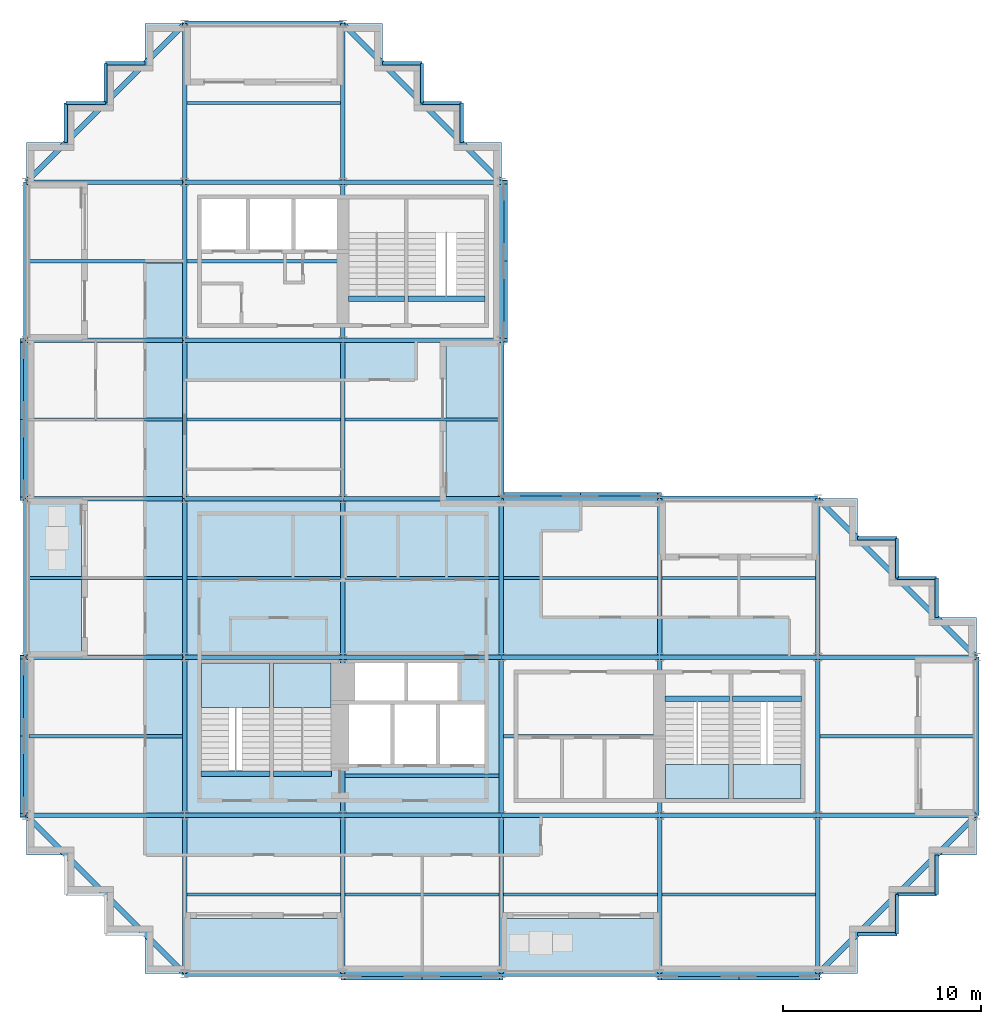
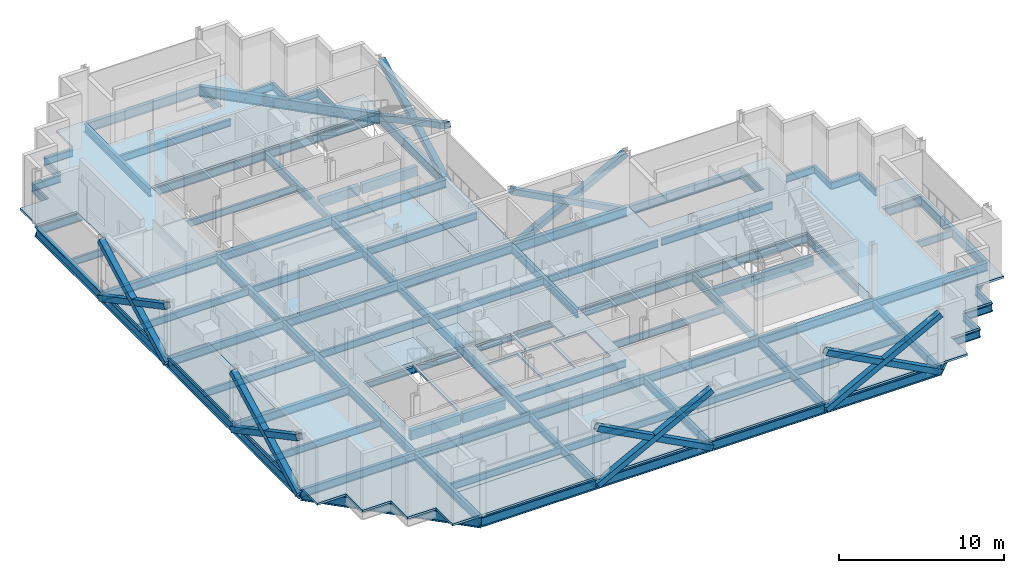
# One storey, part 3 of 12: 102 beams, 12 members, 10 slabs, 4 elements without a shape of their own.
"""IFC4 building model written with IfcOpenShell, lengths in metres."""

from ifc_helpers import new_model, si_unit, direction, frame, origin, origin_2d, place, context, subcontext, project, spatial, polyline, rectangle, hollow_rectangle, i_section, outline, extrude, material, layer, layer_set, material_profile, profile_set, type_object, element, aggregate, save


model = new_model("IFC4")

# Units and contexts
model_context = context("Model", 3, precision=1e-05, world=origin(), true_north=direction((0.0, 1.0)))
body_context = subcontext(model_context, "Body", "Model", "MODEL_VIEW")
ifc_project = project(units=[si_unit("LENGTHUNIT", "METRE"), si_unit("AREAUNIT", "SQUARE_METRE"), si_unit("VOLUMEUNIT", "CUBIC_METRE"), si_unit("PLANEANGLEUNIT", "RADIAN"), si_unit("MASSUNIT", "GRAM", prefix="KILO")], contexts=[model_context])

# Site, building, storey
site_placement = place(None, origin())
site = spatial("IfcSite", under=ifc_project, at=site_placement, CompositionType="ELEMENT")
building_placement = place(site_placement, origin())
building = spatial("IfcBuilding", under=site, at=building_placement, Name="Immortelle Media Tower", CompositionType="ELEMENT")
storey_placement = place(building_placement, frame((0.0, 0.0, 149.39990234375)))
storey = spatial("IfcBuildingStorey", under=building, at=storey_placement, Name="L30", CompositionType="ELEMENT", Elevation=149.39990234375)

# Members
ifc_material_1 = material(Name="Steel ASTM A500 Gr C", Category="steel")
ifc_material_profile_1 = material_profile(ifc_material_1, hollow_rectangle(XDim=0.406005859375, YDim=0.406005859375, WallThickness=0.011962890625, at=origin_2d()), Name="HSS16x16x1/2 brace")
ifc_profile_set_1 = profile_set([ifc_material_profile_1], Name="Steel ASTM A500 Gr C")
member_type = type_object("IfcMemberType", Name="HSS16x16x1/2 brace", PredefinedType="BRACE", material=ifc_profile_set_1)
for number, where, z_axis, x_axis, name in (
    (1, (16.0, -0.113037109375, -0.496337890625), (0.883551031542, 0.0, 0.468334895839), (0.0, 1.0, 0.0), "Brace A/3-4 A"),
    (2, (16.0, -0.113037109375, 3.744140625), (0.883551031542, 0.0, -0.468334895839), (0.0, 1.0, 0.0), "Brace A/3-4 B"),
    (3, (32.0, -0.113037109375, -0.496337890625), (0.883551031542, 0.0, 0.468334895839), (0.0, 1.0, 0.0), "Brace A/5-6 A"),
    (4, (32.0, -0.113037109375, 3.744140625), (0.883551031542, 0.0, -0.468334895839), (0.0, 1.0, 0.0), "Brace A/5-6 B"),
    (5, (32.0, 24.113037109375, -0.496337890625), (-0.883551031542, 0.0, 0.468334895839), (0.0, -1.0, 0.0), "Brace D/4-5 A"),
    (6, (32.0, 24.113037109375, 3.744140625), (-0.883551031542, 0.0, -0.468334895839), (0.0, -1.0, 0.0), "Brace D/4-5 B"),
    (7, (24.113037109375, 32.0, -0.496337890625), (0.0, 0.883551031542, 0.468334895839), (-1.0, 0.0, 0.0), "Brace 4/E-F A"),
    (8, (24.113037109375, 32.0, 3.744140625), (0.0, 0.883551031542, -0.468334895839), (-1.0, 0.0, 0.0), "Brace 4/E-F B"),
    (9, (-0.113037109375, 32.0, -0.496337890625), (0.0, -0.883551031542, 0.468334895839), (1.0, 0.0, 0.0), "Brace 1/D-E A"),
    (10, (-0.113037109375, 32.0, 3.744140625), (0.0, -0.883551031542, -0.468334895839), (1.0, 0.0, 0.0), "Brace 1/D-E B"),
    (11, (-0.113037109375, 16.0, -0.496337890625), (0.0, -0.883551031542, 0.468334895839), (1.0, 0.0, 0.0), "Brace 1/B-C A"),
    (12, (-0.113037109375, 16.0, 3.744140625), (0.0, -0.883551031542, -0.468334895839), (1.0, 0.0, 0.0), "Brace 1/B-C B"),
):
    element("IfcMember", number, at=place(storey_placement, frame(where, z_axis=z_axis, x_axis=x_axis)), inside=storey, type_object=member_type, Name=name, PredefinedType="BRACE", context=body_context, shape_type="SweptSolid", body=[
        extrude(hollow_rectangle(XDim=0.406005859375, YDim=0.406005859375, WallThickness=0.011962890625, at=origin_2d()), origin(), (0.0, 0.0, 1.0), 9.054443359375),
    ])

# Beams
ifc_material_2 = material(Name="Concrete C50/60", Category="concrete")
ifc_material_profile_2 = material_profile(ifc_material_2, rectangle(XDim=0.300048828125, YDim=0.699951171875, at=origin_2d()), Name="RC 300x700")
ifc_profile_set_2 = profile_set([ifc_material_profile_2], Name="Concrete C50/60")
beam_type_1 = type_object("IfcBeamType", Name="Stair trimmer beam 300 x 700", PredefinedType="BEAM", material=ifc_profile_set_2)
beam_1_placement = place(storey_placement, frame((8.830078125, 10.10498046875, -0.5), z_axis=(1.0, 0.0, 0.0), x_axis=(0.0, 1.0, 0.0)))
element("IfcBeam", 13, at=beam_1_placement, inside=storey, type_object=beam_type_1, Name="Stair trimmer beam SW1", PredefinedType="BEAM", context=body_context, shape_type="SweptSolid", body=[
    extrude(rectangle(XDim=0.300048828125, YDim=0.699951171875, at=origin_2d()), origin(), (0.0, 0.0, 1.0), 3.489990234375),
])
beam_2_placement = place(storey_placement, frame((12.47998046875, 10.10498046875, -0.5), z_axis=(1.0, 0.0, 0.0), x_axis=(0.0, 1.0, 0.0)))
element("IfcBeam", 14, at=beam_2_placement, inside=storey, type_object=beam_type_1, Name="Stair trimmer beam SW2", PredefinedType="BEAM", context=body_context, shape_type="SweptSolid", body=[
    extrude(rectangle(XDim=0.300048828125, YDim=0.699951171875, at=origin_2d()), origin(), (0.0, 0.0, 1.0), 2.93994140625),
])
beam_3_placement = place(storey_placement, frame((32.280029296875, 13.89501953125, -0.5), z_axis=(1.0, 0.0, 0.0), x_axis=(0.0, 1.0, 0.0)))
element("IfcBeam", 15, at=beam_3_placement, inside=storey, type_object=beam_type_1, Name="Stair trimmer beam SE1", PredefinedType="BEAM", context=body_context, shape_type="SweptSolid", body=[
    extrude(rectangle(XDim=0.300048828125, YDim=0.699951171875, at=origin_2d()), origin(), (0.0, 0.0, 1.0), 3.239990234375),
])
beam_4_placement = place(storey_placement, frame((35.679931640625, 13.89501953125, -0.5), z_axis=(1.0, 0.0, 0.0), x_axis=(0.0, 1.0, 0.0)))
element("IfcBeam", 16, at=beam_4_placement, inside=storey, type_object=beam_type_1, Name="Stair trimmer beam SE2", PredefinedType="BEAM", context=body_context, shape_type="SweptSolid", body=[
    extrude(rectangle(XDim=0.300048828125, YDim=0.699951171875, at=origin_2d()), origin(), (0.0, 0.0, 1.0), 3.489990234375),
])
beam_5_placement = place(storey_placement, frame((16.280029296875, 34.10498046875, -0.5), z_axis=(1.0, 0.0, 0.0), x_axis=(0.0, 1.0, 0.0)))
element("IfcBeam", 17, at=beam_5_placement, inside=storey, type_object=beam_type_1, Name="Stair trimmer beam NW1", PredefinedType="BEAM", context=body_context, shape_type="SweptSolid", body=[
    extrude(rectangle(XDim=0.300048828125, YDim=0.699951171875, at=origin_2d()), origin(), (0.0, 0.0, 1.0), 2.840087890625),
])
beam_6_placement = place(storey_placement, frame((19.280029296875, 34.10498046875, -0.5), z_axis=(1.0, 0.0, 0.0), x_axis=(0.0, 1.0, 0.0)))
element("IfcBeam", 18, at=beam_6_placement, inside=storey, type_object=beam_type_1, Name="Stair trimmer beam NW2", PredefinedType="BEAM", context=body_context, shape_type="SweptSolid", body=[
    extrude(rectangle(XDim=0.300048828125, YDim=0.699951171875, at=origin_2d()), origin(), (0.0, 0.0, 1.0), 3.889892578125),
])
ifc_material_3 = material(Name="Steel ASTM A992 Gr 50", Category="steel")
ifc_material_profile_3 = material_profile(ifc_material_3, i_section(OverallWidth=0.1650390625, OverallDepth=0.52587890625, WebThickness=0.009033203125, FlangeThickness=0.010986328125, at=origin_2d()), Name="W21x44")
ifc_profile_set_3 = profile_set([ifc_material_profile_3], Name="Steel ASTM A992 Gr 50")
beam_type_2 = type_object("IfcBeamType", Name="W21x44 secondary beam", PredefinedType="JOIST", material=ifc_profile_set_3)
for number, where, z_axis, x_axis, name in (
    (19, (8.114501953125, 4.0, -0.412841796875), (1.0, 0.0, 0.0), (0.0, 1.0, 0.0), "Beam A-B/2-3"),
    (20, (16.114501953125, 4.0, -0.412841796875), (1.0, 0.0, 0.0), (0.0, 1.0, 0.0), "Beam A-B/3-4"),
    (21, (24.114501953125, 4.0, -0.412841796875), (1.0, 0.0, 0.0), (0.0, 1.0, 0.0), "Beam A-B/4-5"),
    (22, (32.114501953125, 4.0, -0.412841796875), (1.0, 0.0, 0.0), (0.0, 1.0, 0.0), "Beam A-B/5-6"),
):
    element("IfcBeam", number, at=place(storey_placement, frame(where, z_axis=z_axis, x_axis=x_axis)), inside=storey, type_object=beam_type_2, Name=name, PredefinedType="JOIST", context=body_context, shape_type="SweptSolid", body=[
        extrude(i_section(OverallWidth=0.1650390625, OverallDepth=0.52587890625, WebThickness=0.009033203125, FlangeThickness=0.010986328125, at=origin_2d()), origin(), (0.0, 0.0, 1.0), 7.77099609375),
    ])
beam_7_placement = place(storey_placement, frame((0.12841796875, 12.0, -0.412841796875), z_axis=(1.0, 0.0, 0.0), x_axis=(0.0, 1.0, 0.0)))
element("IfcBeam", 23, at=beam_7_placement, inside=storey, type_object=beam_type_2, Name="Beam B-C/1-2", PredefinedType="JOIST", context=body_context, shape_type="SweptSolid", body=[
    extrude(i_section(OverallWidth=0.1650390625, OverallDepth=0.52587890625, WebThickness=0.009033203125, FlangeThickness=0.010986328125, at=origin_2d()), origin(), (0.0, 0.0, 1.0), 7.757080078125),
])
for number, where, z_axis, x_axis, name in (
    (24, (16.114501953125, 10.0, -0.412841796875), (1.0, 0.0, 0.0), (0.0, 1.0, 0.0), "Beam B-C/3-4"),
    (25, (24.114501953125, 12.0, -0.412841796875), (1.0, 0.0, 0.0), (0.0, 1.0, 0.0), "Beam B-C/4-5"),
):
    element("IfcBeam", number, at=place(storey_placement, frame(where, z_axis=z_axis, x_axis=x_axis)), inside=storey, type_object=beam_type_2, Name=name, PredefinedType="JOIST", context=body_context, shape_type="SweptSolid", body=[
        extrude(i_section(OverallWidth=0.1650390625, OverallDepth=0.52587890625, WebThickness=0.009033203125, FlangeThickness=0.010986328125, at=origin_2d()), origin(), (0.0, 0.0, 1.0), 7.77099609375),
    ])
for number, where, z_axis, x_axis, name in (
    (26, (40.114501953125, 12.0, -0.412841796875), (1.0, 0.0, 0.0), (0.0, 1.0, 0.0), "Beam B-C/6-7"),
    (27, (0.12841796875, 20.0, -0.412841796875), (1.0, 0.0, 0.0), (0.0, 1.0, 0.0), "Beam C-D/1-2"),
):
    element("IfcBeam", number, at=place(storey_placement, frame(where, z_axis=z_axis, x_axis=x_axis)), inside=storey, type_object=beam_type_2, Name=name, PredefinedType="JOIST", context=body_context, shape_type="SweptSolid", body=[
        extrude(i_section(OverallWidth=0.1650390625, OverallDepth=0.52587890625, WebThickness=0.009033203125, FlangeThickness=0.010986328125, at=origin_2d()), origin(), (0.0, 0.0, 1.0), 7.757080078125),
    ])
for number, where, z_axis, x_axis, name in (
    (28, (8.114501953125, 20.0, -0.412841796875), (1.0, 0.0, 0.0), (0.0, 1.0, 0.0), "Beam C-D/2-3"),
    (29, (16.114501953125, 20.0, -0.412841796875), (1.0, 0.0, 0.0), (0.0, 1.0, 0.0), "Beam C-D/3-4"),
    (30, (24.114501953125, 20.0, -0.412841796875), (1.0, 0.0, 0.0), (0.0, 1.0, 0.0), "Beam C-D/4-5"),
    (31, (32.114501953125, 20.0, -0.412841796875), (1.0, 0.0, 0.0), (0.0, 1.0, 0.0), "Beam C-D/5-6"),
):
    element("IfcBeam", number, at=place(storey_placement, frame(where, z_axis=z_axis, x_axis=x_axis)), inside=storey, type_object=beam_type_2, Name=name, PredefinedType="JOIST", context=body_context, shape_type="SweptSolid", body=[
        extrude(i_section(OverallWidth=0.1650390625, OverallDepth=0.52587890625, WebThickness=0.009033203125, FlangeThickness=0.010986328125, at=origin_2d()), origin(), (0.0, 0.0, 1.0), 7.77099609375),
    ])
beam_8_placement = place(storey_placement, frame((0.12841796875, 28.0, -0.412841796875), z_axis=(1.0, 0.0, 0.0), x_axis=(0.0, 1.0, 0.0)))
element("IfcBeam", 32, at=beam_8_placement, inside=storey, type_object=beam_type_2, Name="Beam D-E/1-2", PredefinedType="JOIST", context=body_context, shape_type="SweptSolid", body=[
    extrude(i_section(OverallWidth=0.1650390625, OverallDepth=0.52587890625, WebThickness=0.009033203125, FlangeThickness=0.010986328125, at=origin_2d()), origin(), (0.0, 0.0, 1.0), 7.757080078125),
])
beam_9_placement = place(storey_placement, frame((8.114501953125, 28.0, -0.412841796875), z_axis=(1.0, 0.0, 0.0), x_axis=(0.0, 1.0, 0.0)))
element("IfcBeam", 33, at=beam_9_placement, inside=storey, type_object=beam_type_2, Name="Beam D-E/2-3", PredefinedType="JOIST", context=body_context, shape_type="SweptSolid", body=[
    extrude(i_section(OverallWidth=0.1650390625, OverallDepth=0.52587890625, WebThickness=0.009033203125, FlangeThickness=0.010986328125, at=origin_2d()), origin(), (0.0, 0.0, 1.0), 7.77099609375),
])
for number, where, z_axis, x_axis, name in (
    (34, (16.114501953125, 28.0, -0.412841796875), (1.0, 0.0, 0.0), (0.0, 1.0, 0.0), "Beam D-E/3-4"),
    (35, (0.12841796875, 36.0, -0.412841796875), (1.0, 0.0, 0.0), (0.0, 1.0, 0.0), "Beam E-F/1-2"),
):
    element("IfcBeam", number, at=place(storey_placement, frame(where, z_axis=z_axis, x_axis=x_axis)), inside=storey, type_object=beam_type_2, Name=name, PredefinedType="JOIST", context=body_context, shape_type="SweptSolid", body=[
        extrude(i_section(OverallWidth=0.1650390625, OverallDepth=0.52587890625, WebThickness=0.009033203125, FlangeThickness=0.010986328125, at=origin_2d()), origin(), (0.0, 0.0, 1.0), 7.757080078125),
    ])
for number, where, z_axis, x_axis, name in (
    (36, (8.114501953125, 36.0, -0.412841796875), (1.0, 0.0, 0.0), (0.0, 1.0, 0.0), "Beam E-F/2-3"),
    (37, (8.114501953125, 44.0, -0.412841796875), (1.0, 0.0, 0.0), (0.0, 1.0, 0.0), "Beam F-G/2-3"),
):
    element("IfcBeam", number, at=place(storey_placement, frame(where, z_axis=z_axis, x_axis=x_axis)), inside=storey, type_object=beam_type_2, Name=name, PredefinedType="JOIST", context=body_context, shape_type="SweptSolid", body=[
        extrude(i_section(OverallWidth=0.1650390625, OverallDepth=0.52587890625, WebThickness=0.009033203125, FlangeThickness=0.010986328125, at=origin_2d()), origin(), (0.0, 0.0, 1.0), 7.77099609375),
    ])
ifc_material_profile_4 = material_profile(ifc_material_3, i_section(OverallWidth=0.1650390625, OverallDepth=0.52587890625, WebThickness=0.009033203125, FlangeThickness=0.010986328125, at=origin_2d()), Name="W21x44")
ifc_profile_set_4 = profile_set([ifc_material_profile_4], Name="Steel ASTM A992 Gr 50")
beam_type_3 = type_object("IfcBeamType", Name="W21x44 serration edge beam", PredefinedType="SPANDREL", material=ifc_profile_set_4)
for number, where, z_axis, x_axis, name in (
    (38, (2.0, 42.0, -0.412841796875), (0.0, 1.0, 0.0), (-1.0, 0.0, 0.0), "Corner edge beam 1 at 1/G"),
    (39, (2.0, 44.0, -0.412841796875), (1.0, 0.0, 0.0), (0.0, 1.0, 0.0), "Corner edge beam 2 at 1/G"),
    (40, (4.0, 44.0, -0.412841796875), (0.0, 1.0, 0.0), (-1.0, 0.0, 0.0), "Corner edge beam 3 at 1/G"),
    (41, (4.0, 46.0, -0.412841796875), (1.0, 0.0, 0.0), (0.0, 1.0, 0.0), "Corner edge beam 4 at 1/G"),
    (42, (18.0, 46.0, -0.412841796875), (1.0, 0.0, 0.0), (0.0, 1.0, 0.0), "Corner edge beam 1 at 4/G"),
    (43, (20.0, 46.0, -0.412841796875), (0.0, -1.0, 0.0), (1.0, 0.0, 0.0), "Corner edge beam 2 at 4/G"),
    (44, (20.0, 44.0, -0.412841796875), (1.0, 0.0, 0.0), (0.0, 1.0, 0.0), "Corner edge beam 3 at 4/G"),
    (45, (22.0, 44.0, -0.412841796875), (0.0, -1.0, 0.0), (1.0, 0.0, 0.0), "Corner edge beam 4 at 4/G"),
    (46, (46.0, 6.0, -0.412841796875), (0.0, -1.0, 0.0), (1.0, 0.0, 0.0), "Corner edge beam 1 at 7/A"),
    (47, (46.0, 4.0, -0.412841796875), (-1.0, 0.0, 0.0), (0.0, -1.0, 0.0), "Corner edge beam 2 at 7/A"),
    (48, (44.0, 4.0, -0.412841796875), (0.0, -1.0, 0.0), (1.0, 0.0, 0.0), "Corner edge beam 3 at 7/A"),
    (49, (44.0, 2.0, -0.412841796875), (-1.0, 0.0, 0.0), (0.0, -1.0, 0.0), "Corner edge beam 4 at 7/A"),
    (50, (42.0, 22.0, -0.412841796875), (1.0, 0.0, 0.0), (0.0, 1.0, 0.0), "Corner edge beam 1 at 7/D"),
    (51, (44.0, 22.0, -0.412841796875), (0.0, -1.0, 0.0), (1.0, 0.0, 0.0), "Corner edge beam 2 at 7/D"),
    (52, (44.0, 20.0, -0.412841796875), (1.0, 0.0, 0.0), (0.0, 1.0, 0.0), "Corner edge beam 3 at 7/D"),
    (53, (46.0, 20.0, -0.412841796875), (0.0, -1.0, 0.0), (1.0, 0.0, 0.0), "Corner edge beam 4 at 7/D"),
):
    element("IfcBeam", number, at=place(storey_placement, frame(where, z_axis=z_axis, x_axis=x_axis)), inside=storey, type_object=beam_type_3, Name=name, PredefinedType="SPANDREL", context=body_context, shape_type="SweptSolid", body=[
        extrude(i_section(OverallWidth=0.1650390625, OverallDepth=0.52587890625, WebThickness=0.009033203125, FlangeThickness=0.010986328125, at=origin_2d()), origin(), (0.0, 0.0, 1.0), 2.0),
    ])
ifc_material_profile_5 = material_profile(ifc_material_3, i_section(OverallWidth=0.22900390625, OverallDepth=0.612060546875, WebThickness=0.011962890625, FlangeThickness=0.02001953125, at=origin_2d()), Name="W24x84")
ifc_profile_set_5 = profile_set([ifc_material_profile_5], Name="Steel ASTM A992 Gr 50")
beam_type_4 = type_object("IfcBeamType", Name="W24x84 girder", PredefinedType="BEAM", material=ifc_profile_set_5)
for number, where, z_axis, x_axis, name in (
    (54, (0.0, 8.0, -0.455810546875), (1.0, 0.0, 0.0), (0.0, 1.0, 0.0), "Girder B/1-2"),
    (55, (0.0, 16.0, -0.455810546875), (1.0, 0.0, 0.0), (0.0, 1.0, 0.0), "Girder C/1-2"),
    (56, (0.0, 24.0, -0.455810546875), (1.0, 0.0, 0.0), (0.0, 1.0, 0.0), "Girder D/1-2"),
    (57, (0.0, 32.0, -0.455810546875), (1.0, 0.0, 0.0), (0.0, 1.0, 0.0), "Girder E/1-2"),
    (58, (0.0, 40.0, -0.455810546875), (1.0, 0.0, 0.0), (0.0, 1.0, 0.0), "Girder F/1-2"),
    (59, (8.0, 0.0, -0.455810546875), (0.0, 1.0, 0.0), (-1.0, 0.0, 0.0), "Girder 2/A-B"),
    (60, (8.0, 8.0, -0.455810546875), (1.0, 0.0, 0.0), (0.0, 1.0, 0.0), "Girder B/2-3"),
    (61, (8.0, 8.0, -0.455810546875), (0.0, 1.0, 0.0), (-1.0, 0.0, 0.0), "Girder 2/B-C"),
    (62, (8.0, 16.0, -0.455810546875), (1.0, 0.0, 0.0), (0.0, 1.0, 0.0), "Girder C/2-3"),
    (63, (8.0, 16.0, -0.455810546875), (0.0, 1.0, 0.0), (-1.0, 0.0, 0.0), "Girder 2/C-D"),
    (64, (8.0, 24.0, -0.455810546875), (1.0, 0.0, 0.0), (0.0, 1.0, 0.0), "Girder D/2-3"),
    (65, (8.0, 24.0, -0.455810546875), (0.0, 1.0, 0.0), (-1.0, 0.0, 0.0), "Girder 2/D-E"),
    (66, (8.0, 32.0, -0.455810546875), (1.0, 0.0, 0.0), (0.0, 1.0, 0.0), "Girder E/2-3"),
    (67, (8.0, 32.0, -0.455810546875), (0.0, 1.0, 0.0), (-1.0, 0.0, 0.0), "Girder 2/E-F"),
    (68, (8.0, 40.0, -0.455810546875), (1.0, 0.0, 0.0), (0.0, 1.0, 0.0), "Girder F/2-3"),
    (69, (8.0, 40.0, -0.455810546875), (0.0, 1.0, 0.0), (-1.0, 0.0, 0.0), "Girder 2/F-G"),
    (70, (16.0, 0.0, -0.455810546875), (0.0, 1.0, 0.0), (-1.0, 0.0, 0.0), "Girder 3/A-B"),
    (71, (16.0, 8.0, -0.455810546875), (1.0, 0.0, 0.0), (0.0, 1.0, 0.0), "Girder B/3-4"),
    (72, (16.0, 8.0, -0.455810546875), (0.0, 1.0, 0.0), (-1.0, 0.0, 0.0), "Girder 3/B-C"),
    (73, (16.0, 16.0, -0.455810546875), (1.0, 0.0, 0.0), (0.0, 1.0, 0.0), "Girder C/3-4"),
    (74, (16.0, 16.0, -0.455810546875), (0.0, 1.0, 0.0), (-1.0, 0.0, 0.0), "Girder 3/C-D"),
    (75, (16.0, 24.0, -0.455810546875), (1.0, 0.0, 0.0), (0.0, 1.0, 0.0), "Girder D/3-4"),
    (76, (16.0, 24.0, -0.455810546875), (0.0, 1.0, 0.0), (-1.0, 0.0, 0.0), "Girder 3/D-E"),
    (77, (16.0, 32.0, -0.455810546875), (1.0, 0.0, 0.0), (0.0, 1.0, 0.0), "Girder E/3-4"),
    (78, (16.0, 32.0, -0.455810546875), (0.0, 1.0, 0.0), (-1.0, 0.0, 0.0), "Girder 3/E-F"),
    (79, (16.0, 40.0, -0.455810546875), (1.0, 0.0, 0.0), (0.0, 1.0, 0.0), "Girder F/3-4"),
    (80, (16.0, 40.0, -0.455810546875), (0.0, 1.0, 0.0), (-1.0, 0.0, 0.0), "Girder 3/F-G"),
    (81, (24.0, 0.0, -0.455810546875), (0.0, 1.0, 0.0), (-1.0, 0.0, 0.0), "Girder 4/A-B"),
    (82, (24.0, 8.0, -0.455810546875), (1.0, 0.0, 0.0), (0.0, 1.0, 0.0), "Girder B/4-5"),
    (83, (24.0, 8.0, -0.455810546875), (0.0, 1.0, 0.0), (-1.0, 0.0, 0.0), "Girder 4/B-C"),
    (84, (24.0, 16.0, -0.455810546875), (1.0, 0.0, 0.0), (0.0, 1.0, 0.0), "Girder C/4-5"),
    (85, (24.0, 16.0, -0.455810546875), (0.0, 1.0, 0.0), (-1.0, 0.0, 0.0), "Girder 4/C-D"),
    (86, (32.0, 0.0, -0.455810546875), (0.0, 1.0, 0.0), (-1.0, 0.0, 0.0), "Girder 5/A-B"),
    (87, (32.0, 8.0, -0.455810546875), (1.0, 0.0, 0.0), (0.0, 1.0, 0.0), "Girder B/5-6"),
    (88, (32.0, 8.0, -0.455810546875), (0.0, 1.0, 0.0), (-1.0, 0.0, 0.0), "Girder 5/B-C"),
    (89, (32.0, 16.0, -0.455810546875), (1.0, 0.0, 0.0), (0.0, 1.0, 0.0), "Girder C/5-6"),
    (90, (32.0, 16.0, -0.455810546875), (0.0, 1.0, 0.0), (-1.0, 0.0, 0.0), "Girder 5/C-D"),
    (91, (40.0, 0.0, -0.455810546875), (0.0, 1.0, 0.0), (-1.0, 0.0, 0.0), "Girder 6/A-B"),
    (92, (40.0, 8.0, -0.455810546875), (1.0, 0.0, 0.0), (0.0, 1.0, 0.0), "Girder B/6-7"),
    (93, (40.0, 8.0, -0.455810546875), (0.0, 1.0, 0.0), (-1.0, 0.0, 0.0), "Girder 6/B-C"),
    (94, (40.0, 16.0, -0.455810546875), (1.0, 0.0, 0.0), (0.0, 1.0, 0.0), "Girder C/6-7"),
    (95, (40.0, 16.0, -0.455810546875), (0.0, 1.0, 0.0), (-1.0, 0.0, 0.0), "Girder 6/C-D"),
):
    element("IfcBeam", number, at=place(storey_placement, frame(where, z_axis=z_axis, x_axis=x_axis)), inside=storey, type_object=beam_type_4, Name=name, PredefinedType="BEAM", context=body_context, shape_type="SweptSolid", body=[
        extrude(i_section(OverallWidth=0.22900390625, OverallDepth=0.612060546875, WebThickness=0.011962890625, FlangeThickness=0.02001953125, at=origin_2d()), origin(), (0.0, 0.0, 1.0), 8.0),
    ])
ifc_material_profile_6 = material_profile(ifc_material_3, i_section(OverallWidth=0.257080078125, OverallDepth=0.693115234375, WebThickness=0.013916015625, FlangeThickness=0.02392578125, at=origin_2d()), Name="W27x114")
ifc_profile_set_6 = profile_set([ifc_material_profile_6], Name="Steel ASTM A992 Gr 50")
beam_type_5 = type_object("IfcBeamType", Name="W27x114 perimeter girder", PredefinedType="SPANDREL", material=ifc_profile_set_6)
for number, where, z_axis, x_axis, name in (
    (96, (0.0, 8.0, -0.496337890625), (0.0, 1.0, 0.0), (-1.0, 0.0, 0.0), "Girder 1/B-C"),
    (97, (0.0, 16.0, -0.496337890625), (0.0, 1.0, 0.0), (-1.0, 0.0, 0.0), "Girder 1/C-D"),
    (98, (0.0, 24.0, -0.496337890625), (0.0, 1.0, 0.0), (-1.0, 0.0, 0.0), "Girder 1/D-E"),
    (99, (0.0, 32.0, -0.496337890625), (0.0, 1.0, 0.0), (-1.0, 0.0, 0.0), "Girder 1/E-F"),
    (100, (8.0, 0.0, -0.496337890625), (1.0, 0.0, 0.0), (0.0, 1.0, 0.0), "Girder A/2-3"),
    (101, (8.0, 48.0, -0.496337890625), (1.0, 0.0, 0.0), (0.0, 1.0, 0.0), "Girder G/2-3"),
    (102, (16.0, 0.0, -0.496337890625), (1.0, 0.0, 0.0), (0.0, 1.0, 0.0), "Girder A/3-4"),
    (103, (24.0, 0.0, -0.496337890625), (1.0, 0.0, 0.0), (0.0, 1.0, 0.0), "Girder A/4-5"),
    (104, (24.0, 24.0, -0.496337890625), (1.0, 0.0, 0.0), (0.0, 1.0, 0.0), "Girder D/4-5"),
    (105, (24.0, 24.0, -0.496337890625), (0.0, 1.0, 0.0), (-1.0, 0.0, 0.0), "Girder 4/D-E"),
    (106, (24.0, 32.0, -0.496337890625), (0.0, 1.0, 0.0), (-1.0, 0.0, 0.0), "Girder 4/E-F"),
    (107, (32.0, 0.0, -0.496337890625), (1.0, 0.0, 0.0), (0.0, 1.0, 0.0), "Girder A/5-6"),
    (108, (32.0, 24.0, -0.496337890625), (1.0, 0.0, 0.0), (0.0, 1.0, 0.0), "Girder D/5-6"),
    (109, (48.0, 8.0, -0.496337890625), (0.0, 1.0, 0.0), (-1.0, 0.0, 0.0), "Girder 7/B-C"),
):
    element("IfcBeam", number, at=place(storey_placement, frame(where, z_axis=z_axis, x_axis=x_axis)), inside=storey, type_object=beam_type_5, Name=name, PredefinedType="SPANDREL", context=body_context, shape_type="SweptSolid", body=[
        extrude(i_section(OverallWidth=0.257080078125, OverallDepth=0.693115234375, WebThickness=0.013916015625, FlangeThickness=0.02392578125, at=origin_2d()), origin(), (0.0, 0.0, 1.0), 8.0),
    ])
ifc_material_profile_7 = material_profile(ifc_material_3, i_section(OverallWidth=0.26708984375, OverallDepth=0.761962890625, WebThickness=0.013916015625, FlangeThickness=0.02197265625, at=origin_2d()), Name="W30x116")
ifc_profile_set_7 = profile_set([ifc_material_profile_7], Name="Steel ASTM A992 Gr 50")
beam_type_6 = type_object("IfcBeamType", Name="W30x116 corner girder", PredefinedType="SPANDREL", material=ifc_profile_set_7)
for number, where, z_axis, x_axis, name in (
    (110, (8.0, 0.0, -0.531005859375), (-0.707106781187, 0.707106781187, 0.0), (-0.707106781187, -0.707106781187, 0.0), "Corner girder at 1/A"),
    (111, (0.0, 40.0, -0.531005859375), (0.707106781187, 0.707106781187, 0.0), (-0.707106781187, 0.707106781187, 0.0), "Corner girder at 1/G"),
    (112, (16.0, 48.0, -0.531005859375), (0.707106781187, -0.707106781187, 0.0), (0.707106781187, 0.707106781187, 0.0), "Corner girder at 4/G"),
    (113, (48.0, 8.0, -0.531005859375), (-0.707106781187, -0.707106781187, 0.0), (0.707106781187, -0.707106781187, 0.0), "Corner girder at 7/A"),
    (114, (40.0, 24.0, -0.531005859375), (0.707106781187, -0.707106781187, 0.0), (0.707106781187, 0.707106781187, 0.0), "Corner girder at 7/D"),
):
    element("IfcBeam", number, at=place(storey_placement, frame(where, z_axis=z_axis, x_axis=x_axis)), inside=storey, type_object=beam_type_6, Name=name, PredefinedType="SPANDREL", context=body_context, shape_type="SweptSolid", body=[
        extrude(i_section(OverallWidth=0.26708984375, OverallDepth=0.761962890625, WebThickness=0.013916015625, FlangeThickness=0.02197265625, at=origin_2d()), origin(), (0.0, 0.0, 1.0), 11.313720703125),
    ])

# Slabs
ifc_material_4 = material(Name="Concrete C50/60 composite deck", Category="concrete")
ifc_layer_1 = layer(ifc_material_4, 0.14990234375)
ifc_layer_set_1 = layer_set([ifc_layer_1], Name="Concrete C50/60 composite deck")
slab_type_1 = type_object("IfcSlabType", Name="Balcony slab 150", PredefinedType="FLOOR", material=ifc_layer_set_1)
slab_1_placement = place(storey_placement, frame((0.0, 0.0, -0.14990234375)))
element("IfcSlab", 115, at=slab_1_placement, inside=storey, type_object=slab_type_1, Name="Balcony slab L30 S0", PredefinedType="FLOOR", context=body_context, shape_type="SweptSolid", body=[
    extrude(outline(polyline([(16.0, 0.0), (16.0, 2.800048828125), (8.0, 2.800048828125), (8.0, 0.0), (16.0, 0.0)])), origin(), (0.0, 0.0, 1.0), 0.14990234375),
])
slab_2_placement = place(storey_placement, frame((0.0, 0.0, -0.14990234375)))
element("IfcSlab", 116, at=slab_2_placement, inside=storey, type_object=slab_type_1, Name="Balcony slab L30 S2", PredefinedType="FLOOR", context=body_context, shape_type="SweptSolid", body=[
    extrude(outline(polyline([(32.0, 0.0), (32.0, 2.800048828125), (24.0, 2.800048828125), (24.0, 0.0), (32.0, 0.0)])), origin(), (0.0, 0.0, 1.0), 0.14990234375),
])
slab_3_placement = place(storey_placement, frame((0.0, 0.0, -0.14990234375)))
element("IfcSlab", 117, at=slab_3_placement, inside=storey, type_object=slab_type_1, Name="Balcony slab L30 E0", PredefinedType="FLOOR", context=body_context, shape_type="SweptSolid", body=[
    extrude(outline(polyline([(24.0, 24.0), (24.0, 32.0), (21.199951171875, 32.0), (21.199951171875, 24.0), (24.0, 24.0)])), origin(), (0.0, 0.0, 1.0), 0.14990234375),
])
slab_4_placement = place(storey_placement, frame((0.0, 0.0, -0.14990234375)))
element("IfcSlab", 118, at=slab_4_placement, inside=storey, type_object=slab_type_1, Name="Balcony slab L30 W2", PredefinedType="FLOOR", context=body_context, shape_type="SweptSolid", body=[
    extrude(outline(polyline([(2.800048828125, 16.0), (2.800048828125, 24.0), (0.0, 24.0), (0.0, 16.0), (2.800048828125, 16.0)])), origin(), (0.0, 0.0, 1.0), 0.14990234375),
])
ifc_layer_2 = layer(ifc_material_2, 0.14990234375)
ifc_layer_set_2 = layer_set([ifc_layer_2], Name="Concrete C50/60")
slab_type_2 = type_object("IfcSlabType", Name="Composite floor slab 150", PredefinedType="FLOOR", material=ifc_layer_set_2)
slab_5_placement = place(storey_placement, frame((0.0, 0.0, -0.14990234375)))
element("IfcSlab", 119, at=slab_5_placement, inside=storey, type_object=slab_type_2, Name="Floor slab L30", PredefinedType="FLOOR", context=body_context, shape_type="SweptSolid", body=[
    extrude(outline(polyline([(6.0, 0.0), (6.0, 2.0), (4.0, 2.0), (4.0, 4.0), (2.0, 4.0), (2.0, 6.0), (0.0, 6.0), (0.0, 16.0), (2.800048828125, 16.0), (2.800048828125, 24.0), (0.0, 24.0), (0.0, 32.0), (2.800048828125, 32.0), (2.800048828125, 40.0), (0.0, 40.0), (0.0, 42.0), (2.0, 42.0), (2.0, 44.0), (4.0, 44.0), (4.0, 46.0), (6.0, 46.0), (6.0, 48.0), (8.0, 48.0), (8.0, 45.199951171875), (16.0, 45.199951171875), (16.0, 48.0), (18.0, 48.0), (18.0, 46.0), (20.0, 46.0), (20.0, 44.0), (22.0, 44.0), (22.0, 42.0), (24.0, 42.0), (24.0, 40.0), (8.0, 40.0), (8.0, 32.0), (21.199951171875, 32.0), (21.199951171875, 24.0), (8.0, 24.0), (8.0, 8.0), (24.0, 8.0), (40.0, 8.0), (40.0, 16.0), (24.0, 16.0), (24.0, 24.0), (32.0, 24.0), (32.0, 21.199951171875), (40.0, 21.199951171875), (40.0, 24.0), (42.0, 24.0), (42.0, 22.0), (44.0, 22.0), (44.0, 20.0), (46.0, 20.0), (46.0, 18.0), (48.0, 18.0), (48.0, 16.0), (45.199951171875, 16.0), (45.199951171875, 8.0), (48.0, 8.0), (48.0, 6.0), (46.0, 6.0), (46.0, 4.0), (44.0, 4.0), (44.0, 2.0), (42.0, 2.0), (42.0, 0.0), (32.0, 0.0), (32.0, 2.800048828125), (24.0, 2.800048828125), (24.0, 0.0), (16.0, 0.0), (16.0, 2.800048828125), (8.0, 2.800048828125), (8.0, 0.0), (6.0, 0.0)])), origin(), (0.0, 0.0, 1.0), 0.14990234375),
])
ifc_layer_3 = layer(ifc_material_2, 0.14990234375)
ifc_layer_set_3 = layer_set([ifc_layer_3], Name="Concrete C50/60")
slab_type_3 = type_object("IfcSlabType", Name="Core floor slab 150", PredefinedType="FLOOR", material=ifc_layer_set_3)
slab_6_placement = place(storey_placement, frame((0.0, 0.0, -0.14990234375)))
element("IfcSlab", 120, at=slab_6_placement, inside=storey, type_object=slab_type_3, Name="Core floor SW", PredefinedType="FLOOR", context=body_context, shape_type="SweptSolid", body=[
    extrude(outline(polyline([(8.0, 8.0), (24.0, 8.0), (24.0, 24.0), (8.0, 24.0), (8.0, 8.0)]), holes=[polyline([(16.60009765625, 13.800048828125), (19.10009765625, 13.800048828125), (19.10009765625, 15.699951171875), (16.60009765625, 15.699951171875), (16.60009765625, 13.800048828125)]), polyline([(19.300048828125, 13.800048828125), (21.800048828125, 13.800048828125), (21.800048828125, 15.699951171875), (19.300048828125, 15.699951171875), (19.300048828125, 13.800048828125)]), polyline([(16.300048828125, 10.60009765625), (18.39990234375, 10.60009765625), (18.39990234375, 13.60009765625), (16.300048828125, 13.60009765625), (16.300048828125, 10.60009765625)]), polyline([(18.60009765625, 10.60009765625), (20.699951171875, 10.60009765625), (20.699951171875, 13.60009765625), (18.60009765625, 13.60009765625), (18.60009765625, 10.60009765625)]), polyline([(20.89990234375, 10.60009765625), (23.14990234375, 10.60009765625), (23.14990234375, 13.60009765625), (20.89990234375, 13.60009765625), (20.89990234375, 10.60009765625)]), polyline([(8.85009765625, 10.27001953125), (12.300048828125, 10.27001953125), (12.300048828125, 15.699951171875), (8.85009765625, 15.699951171875), (8.85009765625, 10.27001953125)]), polyline([(12.5, 10.27001953125), (15.39990234375, 10.27001953125), (15.39990234375, 15.699951171875), (12.5, 15.699951171875), (12.5, 10.27001953125)])]), origin(), (0.0, 0.0, 1.0), 0.14990234375),
])

# Stair, slab
stair_type = type_object("IfcStairType", Name="Stair with flights", PredefinedType="DOUBLE_RETURN_STAIR", material=ifc_material_3)
stair_1_placement = place(storey_placement, origin())
stair_1 = element("IfcStair", 121, at=stair_1_placement, inside=storey, type_object=stair_type, Name="Exit stair SW1", PredefinedType="DOUBLE_RETURN_STAIR")
ifc_material_5 = material(Name="Steel ASTM A572 Gr 50", Category="steel")
ifc_layer_4 = layer(ifc_material_5, 0.199951171875)
ifc_layer_set_4 = layer_set([ifc_layer_4], Name="Steel ASTM A572 Gr 50")
slab_type_4 = type_object("IfcSlabType", Name="Stair landing 200", PredefinedType="LANDING", material=ifc_layer_set_4)
slab_7_placement = place(storey_placement, frame((0.0, 0.0, 1.900146484375)))
slab_7 = element("IfcSlab", 122, at=slab_7_placement, type_object=slab_type_4, Name="ST SW1 landing 1", PredefinedType="LANDING", context=body_context, shape_type="SweptSolid", body=[
    extrude(outline(polyline([(8.85009765625, 13.43994140625), (12.300048828125, 13.43994140625), (12.300048828125, 15.699951171875), (8.85009765625, 15.699951171875), (8.85009765625, 13.43994140625)])), origin(), (0.0, 0.0, 1.0), 0.199951171875),
])
aggregate(stair_1, [slab_7])

stair_2_placement = place(storey_placement, origin())
stair_2 = element("IfcStair", 123, at=stair_2_placement, inside=storey, type_object=stair_type, Name="Exit stair SW2", PredefinedType="DOUBLE_RETURN_STAIR")
slab_8_placement = place(storey_placement, frame((0.0, 0.0, 1.900146484375)))
slab_8 = element("IfcSlab", 124, at=slab_8_placement, type_object=slab_type_4, Name="ST SW2 landing 1", PredefinedType="LANDING", context=body_context, shape_type="SweptSolid", body=[
    extrude(outline(polyline([(12.5, 13.43994140625), (15.39990234375, 13.43994140625), (15.39990234375, 15.699951171875), (12.5, 15.699951171875), (12.5, 13.43994140625)])), origin(), (0.0, 0.0, 1.0), 0.199951171875),
])
aggregate(stair_2, [slab_8])

stair_3_placement = place(storey_placement, origin())
stair_3 = element("IfcStair", 125, at=stair_3_placement, inside=storey, type_object=stair_type, Name="Exit stair SE1", PredefinedType="DOUBLE_RETURN_STAIR")
slab_9_placement = place(storey_placement, frame((0.0, 0.0, 1.900146484375)))
slab_9 = element("IfcSlab", 126, at=slab_9_placement, type_object=slab_type_4, Name="ST SE1 landing 1", PredefinedType="LANDING", context=body_context, shape_type="SweptSolid", body=[
    extrude(outline(polyline([(32.300048828125, 8.85009765625), (35.5, 8.85009765625), (35.5, 10.56005859375), (32.300048828125, 10.56005859375), (32.300048828125, 8.85009765625)])), origin(), (0.0, 0.0, 1.0), 0.199951171875),
])
aggregate(stair_3, [slab_9])

stair_4_placement = place(storey_placement, origin())
stair_4 = element("IfcStair", 127, at=stair_4_placement, inside=storey, type_object=stair_type, Name="Exit stair SE2", PredefinedType="DOUBLE_RETURN_STAIR")
slab_10_placement = place(storey_placement, frame((0.0, 0.0, 1.900146484375)))
slab_10 = element("IfcSlab", 128, at=slab_10_placement, type_object=slab_type_4, Name="ST SE2 landing 1", PredefinedType="LANDING", context=body_context, shape_type="SweptSolid", body=[
    extrude(outline(polyline([(35.699951171875, 8.85009765625), (39.14990234375, 8.85009765625), (39.14990234375, 10.56005859375), (35.699951171875, 10.56005859375), (35.699951171875, 8.85009765625)])), origin(), (0.0, 0.0, 1.0), 0.199951171875),
])
aggregate(stair_4, [slab_10])

save(model, "model.ifc")
